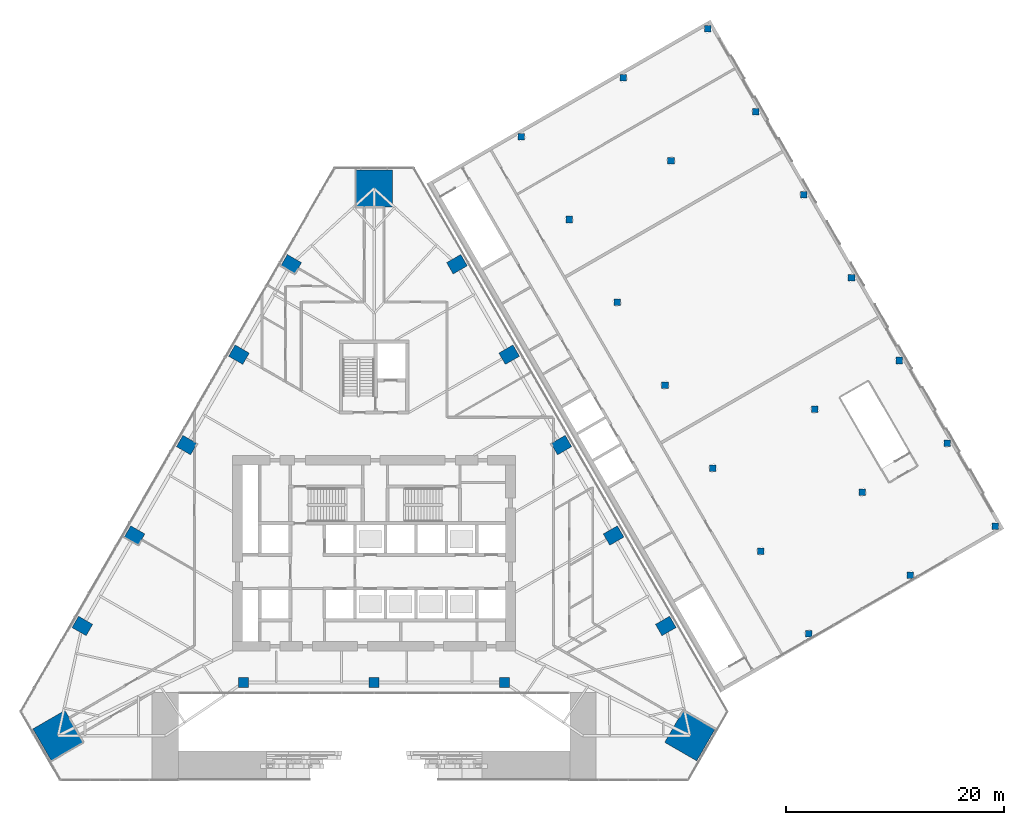
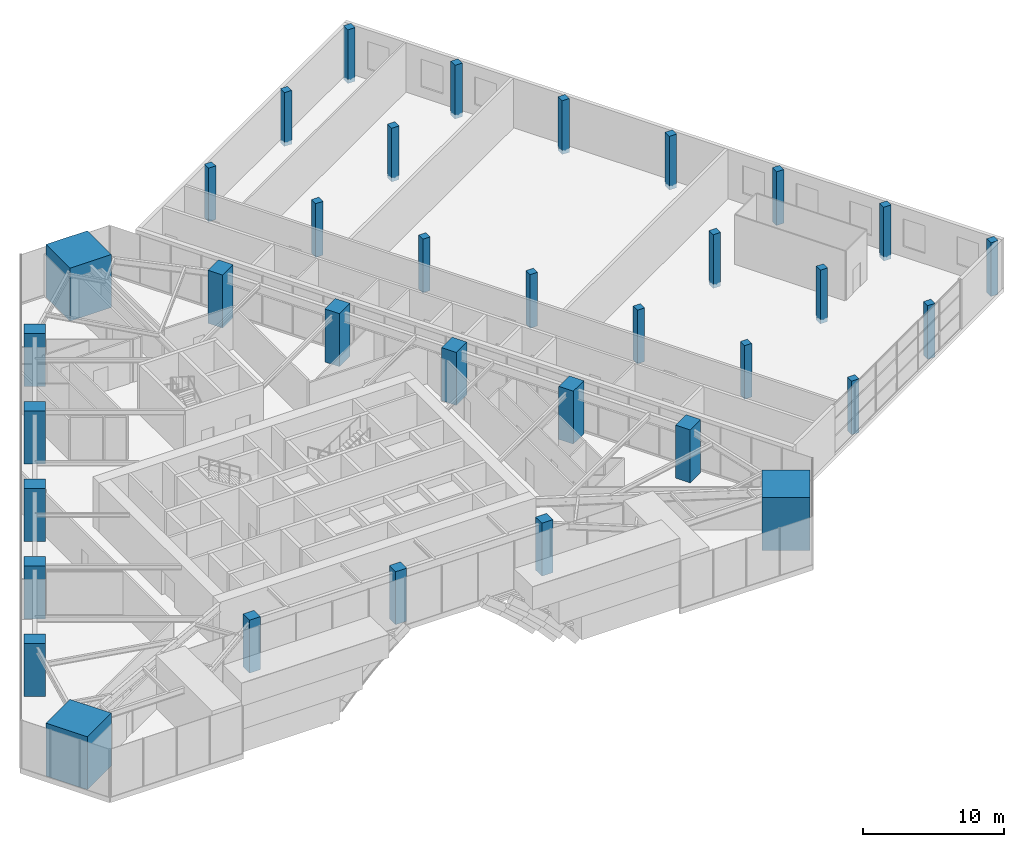
# One storey, part 1 of 23: 35 columns.
"""IFC4 building model written with IfcOpenShell, lengths in metres."""

from ifc_helpers import new_model, si_unit, direction, frame, origin, origin_2d, place, context, subcontext, project, spatial, rectangle, extrude, material, material_profile, profile_set, type_object, element, save


model = new_model("IFC4")

# Units and contexts
model_context = context("Model", 3, precision=1e-05, world=origin(), true_north=direction((0.0, 1.0)))
body_context = subcontext(model_context, "Body", "Model", "MODEL_VIEW")
ifc_project = project(units=[si_unit("LENGTHUNIT", "METRE"), si_unit("AREAUNIT", "SQUARE_METRE"), si_unit("VOLUMEUNIT", "CUBIC_METRE"), si_unit("PLANEANGLEUNIT", "RADIAN"), si_unit("MASSUNIT", "GRAM", prefix="KILO")], contexts=[model_context])

# Site, building, storey
site_placement = place(None, origin())
site = spatial("IfcSite", under=ifc_project, at=site_placement, CompositionType="ELEMENT")
building_placement = place(site_placement, origin())
building = spatial("IfcBuilding", under=site, at=building_placement, Name="Firuza Gate Tower and Library", CompositionType="ELEMENT")
storey_placement = place(building_placement, frame((0.0, 0.0, 21.800048828125)))
storey = spatial("IfcBuildingStorey", under=building, at=storey_placement, Name="L04", CompositionType="ELEMENT", Elevation=21.800048828125)

# Columns
ifc_material_1 = material(Name="Concrete C60/75", Category="concrete")
ifc_material_profile_1 = material_profile(ifc_material_1, rectangle(XDim=0.89990234375, YDim=0.89990234375, at=origin_2d()))
ifc_profile_set_1 = profile_set([ifc_material_profile_1], Name="Concrete C60/75")
column_type_1 = type_object("IfcColumnType", Name="Basement column 900x900 C60/75", PredefinedType="COLUMN", material=ifc_profile_set_1)
for number, where, z_axis, x_axis, name in (
    (1, (63.0, 63.115478515625, 0.0), (0.0, 0.0, 1.0), (1.0, 0.0, 0.0), "Column L04 bc1"),
    (2, (75.0, 63.115478515625, 0.0), (0.0, 0.0, 1.0), (1.0, 0.0, 0.0), "Column L04 bc2"),
    (3, (87.0, 63.115478515625, 0.0), (0.0, 0.0, 1.0), (1.0, 0.0, 0.0), "Column L04 bc3"),
):
    element("IfcColumn", number, at=place(storey_placement, frame(where, z_axis=z_axis, x_axis=x_axis)), inside=storey, type_object=column_type_1, Name=name, PredefinedType="COLUMN", context=body_context, shape_type="SweptSolid", body=[
        extrude(rectangle(XDim=0.89990234375, YDim=0.89990234375, at=origin_2d()), origin(), (0.0, 0.0, 1.0), 4.599853515625),
    ])
ifc_material_2 = material(Name="Concrete C40/50", Category="concrete")
ifc_material_profile_2 = material_profile(ifc_material_2, rectangle(XDim=0.60009765625, YDim=0.60009765625, at=origin_2d()))
ifc_profile_set_2 = profile_set([ifc_material_profile_2], Name="Concrete C40/50")
column_type_2 = type_object("IfcColumnType", Name="LIB COLUMN 600", PredefinedType="COLUMN", material=ifc_profile_set_2)
for number, where, z_axis, x_axis, name in (
    (4, (114.947021484375, 67.5791015625, -0.360107421875), (0.0, 0.0, 1.0), (1.0, 0.0, 0.0), "Library column 1A"),
    (5, (124.2998046875, 72.979248046875, -0.360107421875), (0.0, 0.0, 1.0), (1.0, 0.0, 0.0), "Library column 1B"),
    (6, (132.09423828125, 77.479248046875, -0.360107421875), (0.0, 0.0, 1.0), (1.0, 0.0, 0.0), "Library column 1C"),
    (7, (110.546875, 75.2001953125, -0.360107421875), (0.0, 0.0, 1.0), (1.0, 0.0, 0.0), "Library column 2A"),
    (8, (119.89990234375, 80.600341796875, -0.360107421875), (0.0, 0.0, 1.0), (1.0, 0.0, 0.0), "Library column 2B"),
    (9, (127.694091796875, 85.100341796875, -0.360107421875), (0.0, 0.0, 1.0), (1.0, 0.0, 0.0), "Library column 2C"),
    (10, (106.14697265625, 82.8212890625, -0.360107421875), (0.0, 0.0, 1.0), (1.0, 0.0, 0.0), "Library column 3A"),
    (11, (115.5, 88.22119140625, -0.360107421875), (0.0, 0.0, 1.0), (1.0, 0.0, 0.0), "Library column 3B"),
    (12, (123.294189453125, 92.72119140625, -0.360107421875), (0.0, 0.0, 1.0), (1.0, 0.0, 0.0), "Library column 3C"),
    (13, (101.746826171875, 90.4423828125, -0.360107421875), (0.0, 0.0, 1.0), (1.0, 0.0, 0.0), "Library column 4A"),
    (14, (118.894287109375, 100.34228515625, -0.360107421875), (0.0, 0.0, 1.0), (1.0, 0.0, 0.0), "Library column 4C"),
    (15, (97.346923828125, 98.063232421875, -0.360107421875), (0.0, 0.0, 1.0), (1.0, 0.0, 0.0), "Library column 5A"),
    (16, (114.494140625, 107.96337890625, -0.360107421875), (0.0, 0.0, 1.0), (1.0, 0.0, 0.0), "Library column 5C"),
    (17, (92.947021484375, 105.684326171875, -0.360107421875), (0.0, 0.0, 1.0), (1.0, 0.0, 0.0), "Library column 6A"),
    (18, (102.2998046875, 111.08447265625, -0.360107421875), (0.0, 0.0, 1.0), (1.0, 0.0, 0.0), "Library column 6B"),
    (19, (110.09423828125, 115.58447265625, -0.360107421875), (0.0, 0.0, 1.0), (1.0, 0.0, 0.0), "Library column 6C"),
    (20, (88.546875, 113.305419921875, -0.360107421875), (0.0, 0.0, 1.0), (1.0, 0.0, 0.0), "Library column 7A"),
    (21, (97.89990234375, 118.705322265625, -0.360107421875), (0.0, 0.0, 1.0), (1.0, 0.0, 0.0), "Library column 7B"),
    (22, (105.694091796875, 123.205322265625, -0.360107421875), (0.0, 0.0, 1.0), (1.0, 0.0, 0.0), "Library column 7C"),
):
    element("IfcColumn", number, at=place(storey_placement, frame(where, z_axis=z_axis, x_axis=x_axis)), inside=storey, type_object=column_type_2, Name=name, PredefinedType="COLUMN", context=body_context, shape_type="SweptSolid", body=[
        extrude(rectangle(XDim=0.60009765625, YDim=0.60009765625, at=origin_2d()), origin(), (0.0, 0.0, 1.0), 4.66015625),
    ])
ifc_material_3 = material(Name="Concrete C80/95", Category="concrete")
ifc_material_profile_3 = material_profile(ifc_material_3, rectangle(XDim=3.39990234375, YDim=3.39990234375, at=origin_2d()))
ifc_profile_set_3 = profile_set([ifc_material_profile_3], Name="Concrete C80/95")
column_type_3 = type_object("IfcColumnType", Name="Mega column 3400x3400 C80/95", PredefinedType="COLUMN", material=ifc_profile_set_3)
for number, where, z_axis, x_axis, name in (
    (23, (104.041259765625, 58.233154296875, 0.0), (0.0, 0.0, 1.0), (0.5, 0.866025403784, 0.0), "Mega column SE L04"),
    (24, (75.0, 108.533935546875, 0.0), (0.0, 0.0, 1.0), (-1.0, 0.0, 0.0), "Mega column N L04"),
    (25, (45.958740234375, 58.233154296875, 0.0), (0.0, 0.0, 1.0), (0.5, -0.866025403784, 0.0), "Mega column SW L04"),
):
    element("IfcColumn", number, at=place(storey_placement, frame(where, z_axis=z_axis, x_axis=x_axis)), inside=storey, type_object=column_type_3, Name=name, PredefinedType="COLUMN", context=body_context, shape_type="SweptSolid", body=[
        extrude(rectangle(XDim=3.39990234375, YDim=3.39990234375, at=origin_2d()), origin(), (0.0, 0.0, 1.0), 4.599853515625),
    ])
ifc_material_4 = material(Name="Concrete C60/75", Category="concrete")
ifc_material_profile_4 = material_profile(ifc_material_4, rectangle(XDim=1.199951171875, YDim=1.5, at=origin_2d()))
ifc_profile_set_4 = profile_set([ifc_material_profile_4], Name="Concrete C60/75")
column_type_4 = type_object("IfcColumnType", Name="Perimeter column 1200x1500 C60/75", PredefinedType="COLUMN", material=ifc_profile_set_4)
for number, where, z_axis, x_axis, name in (
    (26, (101.820556640625, 68.314697265625, -0.00048828125), (0.0, 0.0, 1.0), (-0.5, 0.866025403784, 0.0), "Column E1 L04"),
    (27, (97.0205078125, 76.62841796875, -0.00048828125), (0.0, 0.0, 1.0), (-0.5, 0.866025403784, 0.0), "Column E2 L04"),
    (28, (92.220458984375, 84.9423828125, -0.00048828125), (0.0, 0.0, 1.0), (-0.5, 0.866025403784, 0.0), "Column E3 L04"),
    (29, (87.420654296875, 93.256103515625, -0.00048828125), (0.0, 0.0, 1.0), (-0.5, 0.866025403784, 0.0), "Column E4 L04"),
    (30, (82.62060546875, 101.570068359375, -0.00048828125), (0.0, 0.0, 1.0), (-0.5, 0.866025403784, 0.0), "Column E5 L04"),
    (31, (67.37939453125, 101.570068359375, -0.00048828125), (0.0, 0.0, 1.0), (-0.5, -0.866025403784, 0.0), "Column W1 L04"),
    (32, (62.579345703125, 93.256103515625, -0.00048828125), (0.0, 0.0, 1.0), (-0.5, -0.866025403784, 0.0), "Column W2 L04"),
    (33, (57.779541015625, 84.9423828125, -0.00048828125), (0.0, 0.0, 1.0), (-0.5, -0.866025403784, 0.0), "Column W3 L04"),
    (34, (52.9794921875, 76.62841796875, -0.00048828125), (0.0, 0.0, 1.0), (-0.5, -0.866025403784, 0.0), "Column W4 L04"),
    (35, (48.179443359375, 68.314697265625, -0.00048828125), (0.0, 0.0, 1.0), (-0.5, -0.866025403784, 0.0), "Column W5 L04"),
):
    element("IfcColumn", number, at=place(storey_placement, frame(where, z_axis=z_axis, x_axis=x_axis)), inside=storey, type_object=column_type_4, Name=name, PredefinedType="COLUMN", context=body_context, shape_type="SweptSolid", body=[
        extrude(rectangle(XDim=1.199951171875, YDim=1.5, at=origin_2d()), origin(), (0.0, 0.0, 1.0), 4.600341796875),
    ])

save(model, "model.ifc")
